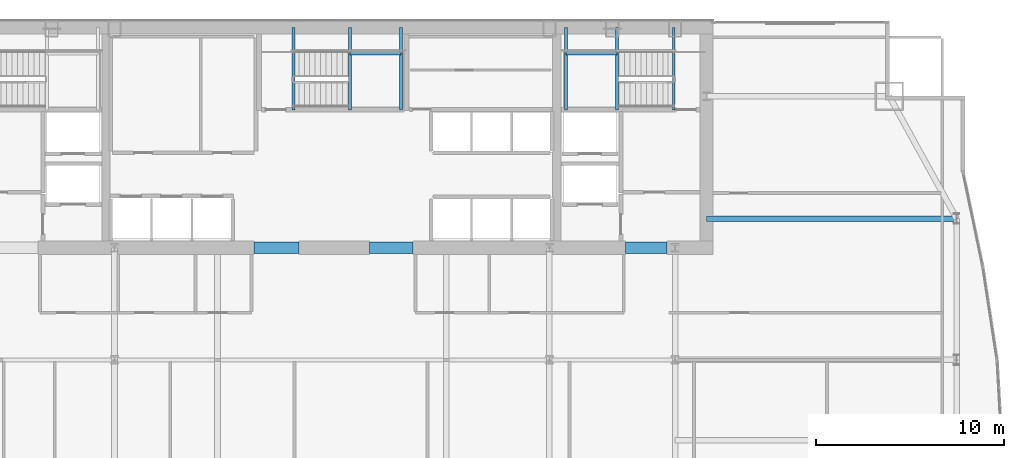
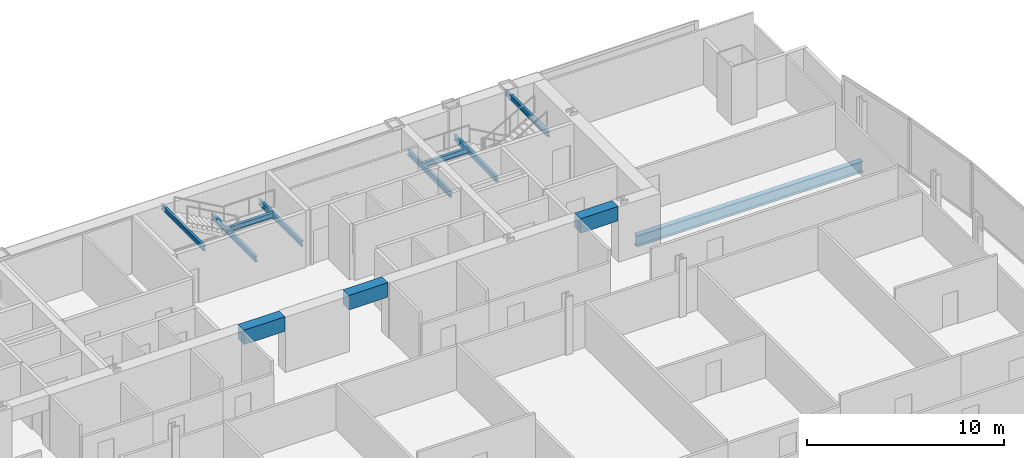
# One storey, part 19 of 33: 12 beams.
"""IFC4 building model written with IfcOpenShell, lengths in metres."""

from ifc_helpers import new_model, si_unit, direction, frame, origin, origin_2d, place, context, subcontext, project, spatial, rectangle, i_section, extrude, material, material_profile, profile_set, type_object, element, save


model = new_model("IFC4")

# Units and contexts
model_context = context("Model", 3, precision=1e-05, world=origin(), true_north=direction((0.0, 1.0)))
body_context = subcontext(model_context, "Body", "Model", "MODEL_VIEW")
ifc_project = project(units=[si_unit("LENGTHUNIT", "METRE"), si_unit("AREAUNIT", "SQUARE_METRE"), si_unit("VOLUMEUNIT", "CUBIC_METRE"), si_unit("PLANEANGLEUNIT", "RADIAN"), si_unit("MASSUNIT", "GRAM", prefix="KILO")], contexts=[model_context])

# Site, building, storey
site_placement = place(None, origin())
site = spatial("IfcSite", under=ifc_project, at=site_placement, CompositionType="ELEMENT")
building_placement = place(site_placement, origin())
building = spatial("IfcBuilding", under=site, at=building_placement, Name="Khoronbel Lancet Exchange", CompositionType="ELEMENT")
storey_placement = place(building_placement, frame((0.0, 0.0, 114.60009765625)))
storey = spatial("IfcBuildingStorey", under=building, at=storey_placement, Name="L27", CompositionType="ELEMENT", Elevation=114.60009765625)

# Beams
ifc_material_1 = material(Name="Steel S355", Category="steel")
ifc_material_profile_1 = material_profile(ifc_material_1, i_section(OverallWidth=0.300048828125, OverallDepth=0.699951171875, WebThickness=0.01708984375, FlangeThickness=0.031982421875, at=origin_2d()), Name="HEB 700")
ifc_profile_set_1 = profile_set([ifc_material_profile_1], Name="Steel S355")
beam_type_1 = type_object("IfcBeamType", Name="BM-BG3", PredefinedType="BEAM", material=ifc_profile_set_1)
beam_1_placement = place(storey_placement, frame((56.35009765625, 43.199951171875, -0.510009765625), z_axis=(1.0, 0.0, 0.0), x_axis=(0.0, 1.0, 0.0)))
element("IfcBeam", 1, at=beam_1_placement, inside=storey, type_object=beam_type_1, Name="Level L27 east lens tie girder LG3E", PredefinedType="BEAM", context=body_context, shape_type="SweptSolid", body=[
    extrude(i_section(OverallWidth=0.300048828125, OverallDepth=0.699951171875, WebThickness=0.01708984375, FlangeThickness=0.031982421875, at=origin_2d()), origin(), (0.0, 0.0, 1.0), 13.27978515625),
])
ifc_material_profile_2 = material_profile(ifc_material_1, i_section(OverallWidth=0.159912109375, OverallDepth=0.330078125, WebThickness=0.007568359375, FlangeThickness=0.011474609375, at=origin_2d()), Name="IPE 330")
ifc_profile_set_2 = profile_set([ifc_material_profile_2], Name="Steel S355")
beam_type_2 = type_object("IfcBeamType", Name="BM-BJ7", PredefinedType="JOIST", material=ifc_profile_set_2)
for number, where, z_axis, x_axis, name in (
    (2, (51.580078125, 48.97998046875, 1.434814453125), (0.0, 1.0, 0.0), (-1.0, 0.0, 0.0), "Level L27 stair ST2 landing bearer beam 1"),
    (3, (48.8701171875, 48.97998046875, 1.434814453125), (0.0, 1.0, 0.0), (-1.0, 0.0, 0.0), "Level L27 stair ST2 rear landing bearer beam 1"),
):
    element("IfcBeam", number, at=place(storey_placement, frame(where, z_axis=z_axis, x_axis=x_axis)), inside=storey, type_object=beam_type_2, Name=name, PredefinedType="JOIST", context=body_context, shape_type="SweptSolid", body=[
        extrude(i_section(OverallWidth=0.159912109375, OverallDepth=0.330078125, WebThickness=0.007568359375, FlangeThickness=0.011474609375, at=origin_2d()), origin(), (0.0, 0.0, 1.0), 4.3701171875),
    ])
beam_2_placement = place(storey_placement, frame((48.8701171875, 51.97998046875, 1.434814453125), z_axis=(1.0, 0.0, 0.0), x_axis=(0.0, 1.0, 0.0)))
element("IfcBeam", 4, at=beam_2_placement, inside=storey, type_object=beam_type_2, Name="Level L27 stair ST2 landing cross trimmer beam 1", PredefinedType="JOIST", context=body_context, shape_type="SweptSolid", body=[
    extrude(i_section(OverallWidth=0.159912109375, OverallDepth=0.330078125, WebThickness=0.007568359375, FlangeThickness=0.011474609375, at=origin_2d()), origin(), (0.0, 0.0, 1.0), 2.7099609375),
])
for number, where, z_axis, x_axis, name in (
    (5, (37.419921875, 48.97998046875, 1.434814453125), (0.0, 1.0, 0.0), (-1.0, 0.0, 0.0), "Level L27 stair ST3 landing bearer beam 1"),
    (6, (40.1298828125, 48.97998046875, 1.434814453125), (0.0, 1.0, 0.0), (-1.0, 0.0, 0.0), "Level L27 stair ST3 rear landing bearer beam 1"),
):
    element("IfcBeam", number, at=place(storey_placement, frame(where, z_axis=z_axis, x_axis=x_axis)), inside=storey, type_object=beam_type_2, Name=name, PredefinedType="JOIST", context=body_context, shape_type="SweptSolid", body=[
        extrude(i_section(OverallWidth=0.159912109375, OverallDepth=0.330078125, WebThickness=0.007568359375, FlangeThickness=0.011474609375, at=origin_2d()), origin(), (0.0, 0.0, 1.0), 4.3701171875),
    ])
beam_3_placement = place(storey_placement, frame((37.419921875, 51.97998046875, 1.434814453125), z_axis=(1.0, 0.0, 0.0), x_axis=(0.0, 1.0, 0.0)))
element("IfcBeam", 7, at=beam_3_placement, inside=storey, type_object=beam_type_2, Name="Level L27 stair ST3 landing cross trimmer beam 1", PredefinedType="JOIST", context=body_context, shape_type="SweptSolid", body=[
    extrude(i_section(OverallWidth=0.159912109375, OverallDepth=0.330078125, WebThickness=0.007568359375, FlangeThickness=0.011474609375, at=origin_2d()), origin(), (0.0, 0.0, 1.0), 2.7099609375),
])
ifc_material_profile_3 = material_profile(ifc_material_1, i_section(OverallWidth=0.14990234375, OverallDepth=0.300048828125, WebThickness=0.007080078125, FlangeThickness=0.0107421875, at=origin_2d()), Name="IPE 300")
ifc_profile_set_3 = profile_set([ifc_material_profile_3], Name="Steel S355")
beam_type_3 = type_object("IfcBeamType", Name="BM-BJ8", PredefinedType="JOIST", material=ifc_profile_set_3)
for number, where, z_axis, x_axis, name in (
    (8, (54.60009765625, 48.97998046875, 3.159912109375), (0.0, 1.0, 0.0), (-1.0, 0.0, 0.0), "Level L27 stair ST2 upper-flight arrival trimmer beam"),
    (9, (34.39990234375, 48.97998046875, 3.159912109375), (0.0, 1.0, 0.0), (-1.0, 0.0, 0.0), "Level L27 stair ST3 upper-flight arrival trimmer beam"),
):
    element("IfcBeam", number, at=place(storey_placement, frame(where, z_axis=z_axis, x_axis=x_axis)), inside=storey, type_object=beam_type_3, Name=name, PredefinedType="JOIST", context=body_context, shape_type="SweptSolid", body=[
        extrude(i_section(OverallWidth=0.14990234375, OverallDepth=0.300048828125, WebThickness=0.007080078125, FlangeThickness=0.0107421875, at=origin_2d()), origin(), (0.0, 0.0, 1.0), 4.3701171875),
    ])
ifc_material_2 = material(Name="Concrete C80/95", Category="concrete")
ifc_material_profile_4 = material_profile(ifc_material_2, rectangle(XDim=0.60009765625, YDim=0.89990234375, at=origin_2d()), Name="RC 600x900")
ifc_profile_set_4 = profile_set([ifc_material_profile_4], Name="Concrete C80/95")
beam_type_4 = type_object("IfcBeamType", Name="BM-BL1", PredefinedType="LINTEL", material=ifc_profile_set_4)
beam_4_placement = place(storey_placement, frame((32.300048828125, 41.64990234375, 2.989990234375), z_axis=(1.0, 0.0, 0.0), x_axis=(0.0, 1.0, 0.0)))
element("IfcBeam", 10, at=beam_4_placement, inside=storey, type_object=beam_type_4, Name="Level L27 rear core coupling lintel L2", PredefinedType="LINTEL", context=body_context, shape_type="SweptSolid", body=[
    extrude(rectangle(XDim=0.60009765625, YDim=0.89990234375, at=origin_2d()), origin(), (0.0, 0.0, 1.0), 2.39990234375),
])
beam_5_placement = place(storey_placement, frame((38.449951171875, 41.64990234375, 2.989990234375), z_axis=(1.0, 0.0, 0.0), x_axis=(0.0, 1.0, 0.0)))
element("IfcBeam", 11, at=beam_5_placement, inside=storey, type_object=beam_type_4, Name="Level L27 rear core coupling lintel L3", PredefinedType="LINTEL", context=body_context, shape_type="SweptSolid", body=[
    extrude(rectangle(XDim=0.60009765625, YDim=0.89990234375, at=origin_2d()), origin(), (0.0, 0.0, 1.0), 2.300048828125),
])
beam_6_placement = place(storey_placement, frame((52.050048828125, 41.64990234375, 2.989990234375), z_axis=(1.0, 0.0, 0.0), x_axis=(0.0, 1.0, 0.0)))
element("IfcBeam", 12, at=beam_6_placement, inside=storey, type_object=beam_type_4, Name="Level L27 rear core coupling lintel L4", PredefinedType="LINTEL", context=body_context, shape_type="SweptSolid", body=[
    extrude(rectangle(XDim=0.60009765625, YDim=0.89990234375, at=origin_2d()), origin(), (0.0, 0.0, 1.0), 2.199951171875),
])

save(model, "model.ifc")
